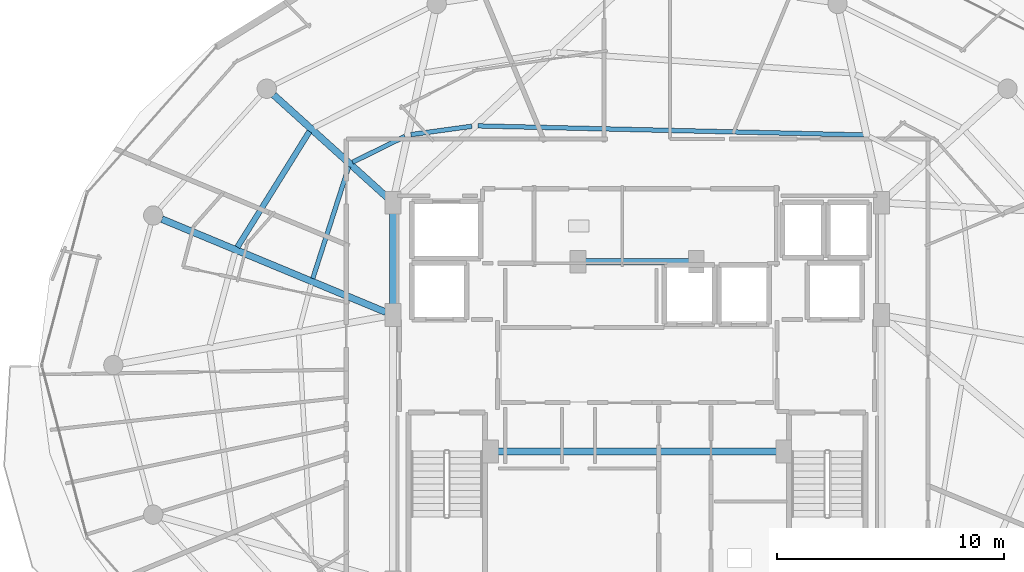
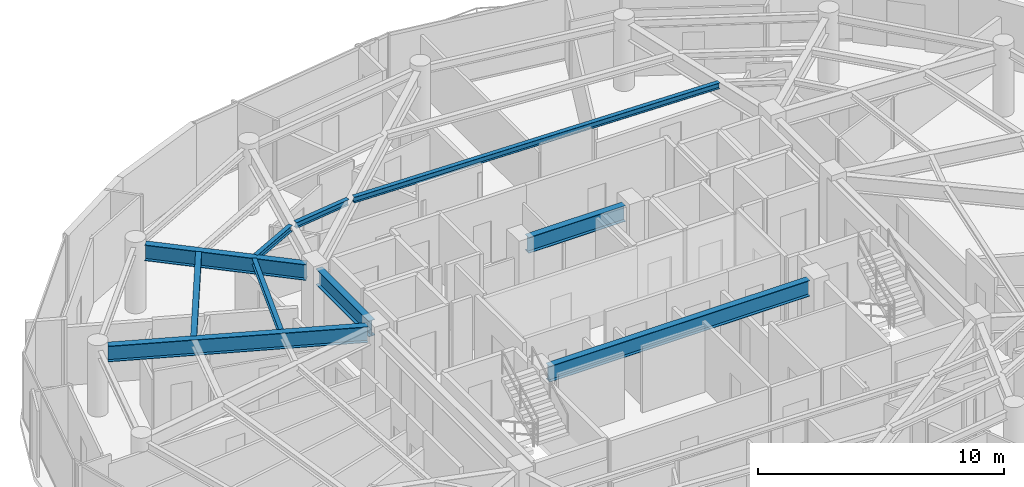
# One storey, part 10 of 31: 10 beams.
"""IFC4 building model written with IfcOpenShell, lengths in metres."""

from ifc_helpers import new_model, si_unit, direction, frame, origin, origin_2d, place, context, subcontext, project, spatial, i_section, extrude, material, material_profile, profile_set, type_object, element, save


model = new_model("IFC4")

# Units and contexts
model_context = context("Model", 3, precision=1e-05, world=origin(), true_north=direction((0.0, 1.0)))
body_context = subcontext(model_context, "Body", "Model", "MODEL_VIEW")
ifc_project = project(units=[si_unit("LENGTHUNIT", "METRE"), si_unit("AREAUNIT", "SQUARE_METRE"), si_unit("VOLUMEUNIT", "CUBIC_METRE"), si_unit("PLANEANGLEUNIT", "RADIAN"), si_unit("MASSUNIT", "GRAM", prefix="KILO")], contexts=[model_context])

# Site, building, storey
site_placement = place(None, origin())
site = spatial("IfcSite", under=ifc_project, at=site_placement, CompositionType="ELEMENT")
building_placement = place(site_placement, origin())
building = spatial("IfcBuilding", under=site, at=building_placement, Name="Vorneva Point Tower", CompositionType="ELEMENT")
storey_placement = place(building_placement, frame((0.0, 0.0, 266.199951171875)))
storey = spatial("IfcBuildingStorey", under=building, at=storey_placement, Name="L72", CompositionType="ELEMENT", Elevation=266.199951171875)

# Beams
ifc_material = material(Name="Steel S355", Category="steel")
ifc_material_profile_1 = material_profile(ifc_material, i_section(OverallWidth=0.300048828125, OverallDepth=0.7880859375, WebThickness=0.014404296875, FlangeThickness=0.02197265625, at=origin_2d()), Name="80Sh1")
ifc_profile_set_1 = profile_set([ifc_material_profile_1], Name="Steel S355")
beam_type_1 = type_object("IfcBeamType", Name="BM-GRD-80Sh1", PredefinedType="USERDEFINED", material=ifc_profile_set_1)
beam_1_placement = place(storey_placement, frame((22.0078125, 37.885498046875, 2.89599609375), z_axis=(0.7420671051, -0.670325601128, 0.0), x_axis=(0.670325601128, 0.7420671051, 0.0)))
element("IfcBeam", 1, at=beam_1_placement, inside=storey, type_object=beam_type_1, Name="L72 Radial Primary Girder 07", ObjectType="GIRDER", PredefinedType="USERDEFINED", context=body_context, shape_type="SweptSolid", body=[
    extrude(i_section(OverallWidth=0.300048828125, OverallDepth=0.7880859375, WebThickness=0.014404296875, FlangeThickness=0.02197265625, at=origin_2d()), origin(), (0.0, 0.0, 1.0), 6.724365234375),
])
beam_2_placement = place(storey_placement, frame((17.0859375, 32.423583984375, 2.89599609375), z_axis=(0.923448932068, -0.383721344027, 0.0), x_axis=(0.383721344027, 0.923448932068, 0.0)))
element("IfcBeam", 2, at=beam_2_placement, inside=storey, type_object=beam_type_1, Name="L72 Radial Primary Girder 08", ObjectType="GIRDER", PredefinedType="USERDEFINED", context=body_context, shape_type="SweptSolid", body=[
    extrude(i_section(OverallWidth=0.300048828125, OverallDepth=0.7880859375, WebThickness=0.014404296875, FlangeThickness=0.02197265625, at=origin_2d()), origin(), (0.0, 0.0, 1.0), 10.666748046875),
])
beam_3_placement = place(storey_placement, frame((27.25, 28.52001953125, 2.89599609375), z_axis=(0.0, 1.0, 0.0), x_axis=(-1.0, 0.0, 0.0)))
element("IfcBeam", 3, at=beam_3_placement, inside=storey, type_object=beam_type_1, Name="L72 Core Tie Girder CT2", ObjectType="GIRDER", PredefinedType="USERDEFINED", context=body_context, shape_type="SweptSolid", body=[
    extrude(i_section(OverallWidth=0.300048828125, OverallDepth=0.7880859375, WebThickness=0.014404296875, FlangeThickness=0.02197265625, at=origin_2d()), origin(), (0.0, 0.0, 1.0), 4.31005859375),
])
beam_4_placement = place(storey_placement, frame((35.719970703125, 30.550048828125, 2.89599609375), z_axis=(1.0, 0.0, 0.0), x_axis=(0.0, 1.0, 0.0)))
element("IfcBeam", 4, at=beam_4_placement, inside=storey, type_object=beam_type_1, Name="L72 Core Tie Girder CT8", ObjectType="GIRDER", PredefinedType="USERDEFINED", context=body_context, shape_type="SweptSolid", body=[
    extrude(i_section(OverallWidth=0.300048828125, OverallDepth=0.7880859375, WebThickness=0.014404296875, FlangeThickness=0.02197265625, at=origin_2d()), origin(), (0.0, 0.0, 1.0), 4.56005859375),
])
beam_5_placement = place(storey_placement, frame((31.8701171875, 22.199951171875, 2.89599609375), z_axis=(1.0, 0.0, 0.0), x_axis=(0.0, 1.0, 0.0)))
element("IfcBeam", 5, at=beam_5_placement, inside=storey, type_object=beam_type_1, Name="L72 Core Tie Girder CT7", ObjectType="GIRDER", PredefinedType="USERDEFINED", context=body_context, shape_type="SweptSolid", body=[
    extrude(i_section(OverallWidth=0.300048828125, OverallDepth=0.7880859375, WebThickness=0.014404296875, FlangeThickness=0.02197265625, at=origin_2d()), origin(), (0.0, 0.0, 1.0), 12.259765625),
])
ifc_material_profile_2 = material_profile(ifc_material, i_section(OverallWidth=0.199951171875, OverallDepth=0.291015625, WebThickness=0.008056640625, FlangeThickness=0.010986328125, at=origin_2d()), Name="30Sh1")
ifc_profile_set_2 = profile_set([ifc_material_profile_2], Name="Steel S355")
beam_type_2 = type_object("IfcBeamType", Name="BM-SEC-30Sh1", PredefinedType="BEAM", material=ifc_profile_set_2)
beam_6_placement = place(storey_placement, frame((47.955810546875, 36.126953125, 3.14453125), z_axis=(-0.999723274381, 0.023523916799, 0.0), x_axis=(-0.023523916799, -0.999723274381, 0.0)))
element("IfcBeam", 6, at=beam_6_placement, inside=storey, type_object=beam_type_2, Name="L72 Secondary Floor Beam 2.04", PredefinedType="BEAM", context=body_context, shape_type="SweptSolid", body=[
    extrude(i_section(OverallWidth=0.199951171875, OverallDepth=0.291015625, WebThickness=0.008056640625, FlangeThickness=0.010986328125, at=origin_2d()), origin(), (0.0, 0.0, 1.0), 16.958251953125),
])
beam_7_placement = place(storey_placement, frame((30.7275390625, 36.51025390625, 3.14453125), z_axis=(-0.990749387049, -0.135704281664, 0.0), x_axis=(0.135704281664, -0.990749387049, 0.0)))
element("IfcBeam", 7, at=beam_7_placement, inside=storey, type_object=beam_type_2, Name="L72 Secondary Floor Beam 2.05", PredefinedType="BEAM", context=body_context, shape_type="SweptSolid", body=[
    extrude(i_section(OverallWidth=0.199951171875, OverallDepth=0.291015625, WebThickness=0.008056640625, FlangeThickness=0.010986328125, at=origin_2d()), origin(), (0.0, 0.0, 1.0), 2.70947265625),
])
beam_8_placement = place(storey_placement, frame((27.782470703125, 36.062744140625, 3.14453125), z_axis=(-0.897106439702, -0.441814481254, 0.0), x_axis=(0.441814481254, -0.897106439702, 0.0)))
element("IfcBeam", 8, at=beam_8_placement, inside=storey, type_object=beam_type_2, Name="L72 Secondary Floor Beam 2.06", PredefinedType="BEAM", context=body_context, shape_type="SweptSolid", body=[
    extrude(i_section(OverallWidth=0.199951171875, OverallDepth=0.291015625, WebThickness=0.008056640625, FlangeThickness=0.010986328125, at=origin_2d()), origin(), (0.0, 0.0, 1.0), 2.572265625),
])
beam_9_placement = place(storey_placement, frame((25.308837890625, 34.73388671875, 3.14453125), z_axis=(-0.305865464812, -0.952074743618, 0.0), x_axis=(0.952074743618, -0.305865464812, 0.0)))
element("IfcBeam", 9, at=beam_9_placement, inside=storey, type_object=beam_type_2, Name="L72 Secondary Floor Beam 2.07", PredefinedType="BEAM", context=body_context, shape_type="SweptSolid", body=[
    extrude(i_section(OverallWidth=0.199951171875, OverallDepth=0.291015625, WebThickness=0.008056640625, FlangeThickness=0.010986328125, at=origin_2d()), origin(), (0.0, 0.0, 1.0), 5.169189453125),
])
ifc_material_profile_3 = material_profile(ifc_material, i_section(OverallWidth=0.2490234375, OverallDepth=0.333984375, WebThickness=0.008056640625, FlangeThickness=0.010986328125, at=origin_2d()), Name="35Sh1")
ifc_profile_set_3 = profile_set([ifc_material_profile_3], Name="Steel S355")
beam_type_3 = type_object("IfcBeamType", Name="BM-SEC-35Sh1", PredefinedType="BEAM", material=ifc_profile_set_3)
beam_10_placement = place(storey_placement, frame((23.581298828125, 36.28076171875, 3.123046875), z_axis=(-0.528831274258, -0.848726978107, 0.0), x_axis=(0.848726978107, -0.528831274258, 0.0)))
element("IfcBeam", 10, at=beam_10_placement, inside=storey, type_object=beam_type_3, Name="L72 Secondary Floor Beam 1.07", PredefinedType="BEAM", context=body_context, shape_type="SweptSolid", body=[
    extrude(i_section(OverallWidth=0.2490234375, OverallDepth=0.333984375, WebThickness=0.008056640625, FlangeThickness=0.010986328125, at=origin_2d()), origin(), (0.0, 0.0, 1.0), 5.997802734375),
])

save(model, "model.ifc")
